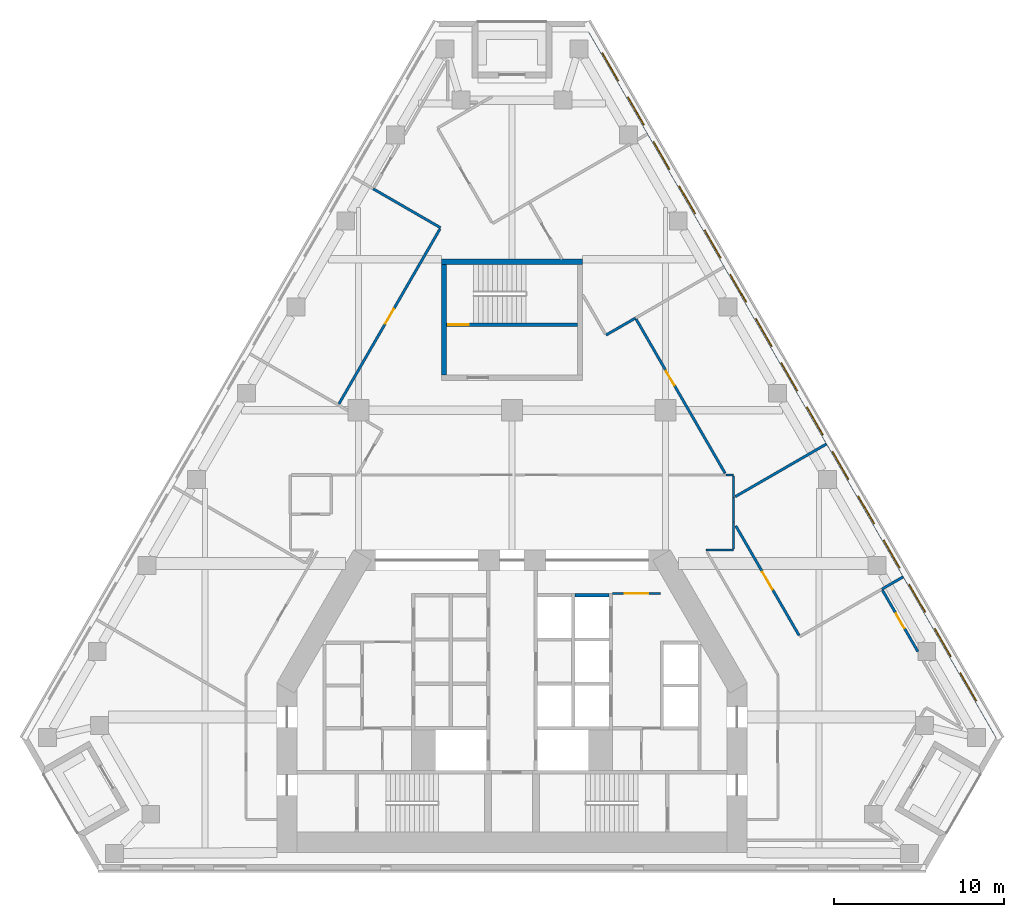
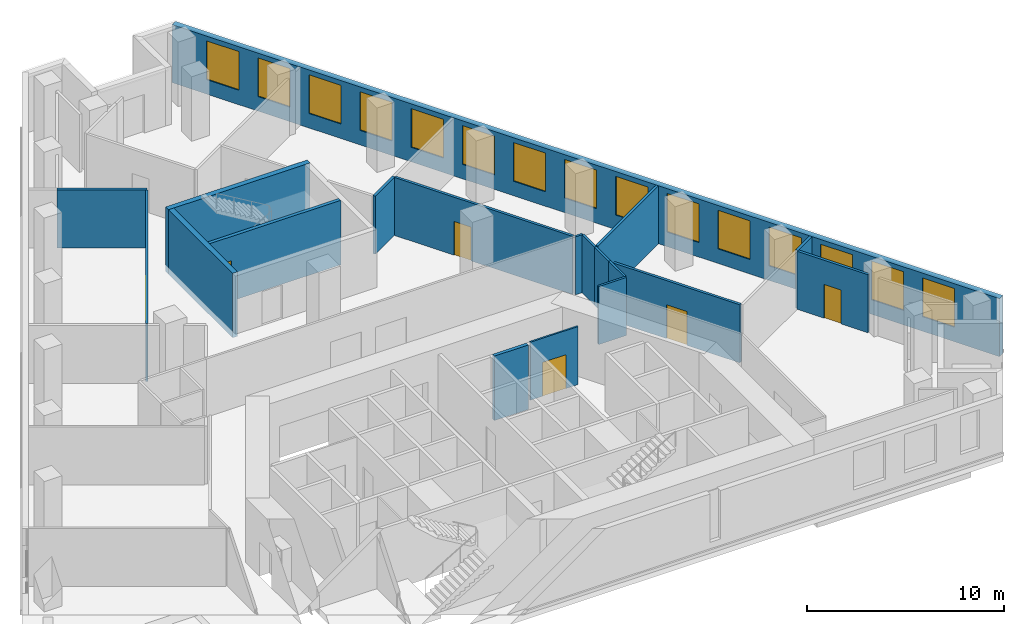
# One storey, part 6 of 8: 19 walls, 15 windows, 6 doors, 21 openings.
"""IFC4 building model written with IfcOpenShell, lengths in metres."""

from ifc_helpers import new_model, si_unit, direction, frame, frame_2d, origin, place, context, subcontext, project, spatial, rectangle, extrude, material, layer, layer_set, type_object, element, fill, save


model = new_model("IFC4")

# Units and contexts
model_context = context("Model", 3, precision=1e-05, world=origin(), true_north=direction((0.0, 1.0)))
body_context = subcontext(model_context, "Body", "Model", "MODEL_VIEW")
ifc_project = project(units=[si_unit("LENGTHUNIT", "METRE"), si_unit("AREAUNIT", "SQUARE_METRE"), si_unit("VOLUMEUNIT", "CUBIC_METRE"), si_unit("PLANEANGLEUNIT", "RADIAN"), si_unit("MASSUNIT", "GRAM", prefix="KILO")], contexts=[model_context])

# Site, building, storey
site_placement = place(None, origin())
site = spatial("IfcSite", under=ifc_project, at=site_placement, CompositionType="ELEMENT")
building_placement = place(site_placement, origin())
building = spatial("IfcBuilding", under=site, at=building_placement, Name="Fogline Exchange Tower", CompositionType="ELEMENT")
storey_placement = place(building_placement, frame((0.0, 0.0, 162.89990234375)))
storey = spatial("IfcBuildingStorey", under=building, at=storey_placement, Name="L36", CompositionType="ELEMENT", Elevation=162.89990234375)

# Wall, opening, door
ifc_material_1 = material(Name="Blockwork partition", Category="masonry")
ifc_layer_1 = layer(ifc_material_1, 0.10009765625)
ifc_layer_set_1 = layer_set([ifc_layer_1], Name="CW10")
wall_type_1 = type_object("IfcWallType", Name="CW10", PredefinedType="PARTITIONING", material=ifc_layer_set_1)
wall_1_placement = place(storey_placement, frame((5.89990234375, 16.25, 0.0), z_axis=(0.0, 0.0, 1.0), x_axis=(1.0, 0.0, 0.0)))
wall_1 = element("IfcWall", 1, at=wall_1_placement, inside=storey, type_object=wall_type_1, Name="Lift lobby partition", PredefinedType="PARTITIONING", context=body_context, shape_type="SweptSolid", body=[
    extrude(rectangle(XDim=2.800048828125, YDim=0.10009765625, at=frame_2d((1.39990234375, 0.0))), origin(), (0.0, 0.0, 1.0), 3.60009765625),
])
opening_1_placement = place(wall_1_placement, frame((0.699951171875, 0.0, 0.0)))
opening_1 = element("IfcOpeningElement", 2, at=opening_1_placement, cuts=wall_1, Name="Opening T11-C017", PredefinedType="OPENING", context=body_context, shape_type="SweptSolid", body=[
    extrude(rectangle(XDim=1.39990234375, YDim=2.10009765625, at=frame_2d((0.699951171875, 1.050048828125))), frame((0.0, 0.06005859375, 0.0), z_axis=(0.0, -1.0, 0.0), x_axis=(1.0, 0.0, 0.0)), (0.0, 0.0, 1.0), 0.1201171875),
])
ifc_material_2 = material(Name="Steel and timber fire door", Category="steel")
door_type_1 = type_object("IfcDoorType", Name="D-LB1", OperationType="DOUBLE_DOOR_SINGLE_SWING", PredefinedType="DOOR", material=ifc_material_2)
door_1_placement = place(opening_1_placement, origin())
door_1 = element("IfcDoor", 3, at=door_1_placement, inside=storey, type_object=door_type_1, Name="Door to lift lobby", OperationType="DOUBLE_DOOR_SINGLE_SWING", OverallHeight=2.10009765625, OverallWidth=1.39990234375, PredefinedType="DOOR", context=body_context, shape_type="SweptSolid", body=[
    extrude(rectangle(XDim=1.39990234375, YDim=2.10009765625, at=frame_2d((0.699951171875, 1.050048828125))), frame((0.0, 0.02490234375, 0.0), z_axis=(0.0, -1.0, 0.0), x_axis=(1.0, 0.0, 0.0)), (0.0, 0.0, 1.0), 0.050048828125),
])
fill(opening_1, door_1)

ifc_material_3 = material(Name="Concrete C40", Category="concrete")
ifc_layer_2 = layer(ifc_material_3, 0.199951171875)
ifc_layer_set_2 = layer_set([ifc_layer_2], Name="CW20R")
wall_type_2 = type_object("IfcWallType", Name="CW20R", PredefinedType="SOLIDWALL", material=ifc_layer_set_2)
wall_2_placement = place(storey_placement, frame((-3.85009765625, 32.007080078125, -0.39990234375), z_axis=(0.0, 0.0, 1.0), x_axis=(1.0, 0.0, 0.0)))
wall_2 = element("IfcWall", 4, at=wall_2_placement, inside=storey, type_object=wall_type_2, Name="Stair enclosure wall ST3", PredefinedType="SOLIDWALL", context=body_context, shape_type="SweptSolid", body=[
    extrude(rectangle(XDim=7.7001953125, YDim=0.199951171875, at=frame_2d((3.85009765625, 0.0))), origin(), (0.0, 0.0, 1.0), 4.0),
])
opening_2_placement = place(wall_2_placement, frame((0.10009765625, 0.0, 0.39990234375)))
opening_2 = element("IfcOpeningElement", 5, at=opening_2_placement, cuts=wall_2, Name="Opening T11-C027", PredefinedType="OPENING", context=body_context, shape_type="SweptSolid", body=[
    extrude(rectangle(XDim=1.199951171875, YDim=2.10009765625, at=frame_2d((0.60009765625, 1.050048828125))), frame((0.0, 0.10986328125, 0.0), z_axis=(0.0, -1.0, 0.0), x_axis=(1.0, 0.0, 0.0)), (0.0, 0.0, 1.0), 0.219970703125),
])
door_type_2 = type_object("IfcDoorType", Name="D-ST1", OperationType="SINGLE_SWING_LEFT", PredefinedType="DOOR", material=ifc_material_2)
door_2_placement = place(opening_2_placement, origin())
door_2 = element("IfcDoor", 6, at=door_2_placement, inside=storey, type_object=door_type_2, Name="Stair door ST3", OperationType="SINGLE_SWING_LEFT", OverallHeight=2.10009765625, OverallWidth=1.199951171875, PredefinedType="DOOR", context=body_context, shape_type="SweptSolid", body=[
    extrude(rectangle(XDim=1.199951171875, YDim=2.10009765625, at=frame_2d((0.60009765625, 1.050048828125))), frame((0.0, 0.02490234375, 0.0), z_axis=(0.0, -1.0, 0.0), x_axis=(1.0, 0.0, 0.0)), (0.0, 0.0, 1.0), 0.050048828125),
])
fill(opening_2, door_2)

# Walls
ifc_layer_3 = layer(ifc_material_3, 0.199951171875)
ifc_layer_set_3 = layer_set([ifc_layer_3], Name="CW20S")
wall_type_3 = type_object("IfcWallType", Name="CW20S", PredefinedType="SOLIDWALL", material=ifc_layer_set_3)
wall_3_placement = place(storey_placement, frame((3.699951171875, 16.14990234375, -0.39990234375), z_axis=(0.0, 0.0, 1.0), x_axis=(1.0, 0.0, 0.0)))
element("IfcWall", 7, at=wall_3_placement, inside=storey, type_object=wall_type_3, Name="Lift shaft wall", PredefinedType="SOLIDWALL", context=body_context, shape_type="SweptSolid", body=[
    extrude(rectangle(XDim=2.0, YDim=0.199951171875, at=frame_2d((1.0, 0.0))), origin(), (0.0, 0.0, 1.0), 4.0),
])
ifc_layer_4 = layer(ifc_material_3, 0.300048828125)
ifc_layer_set_4 = layer_set([ifc_layer_4], Name="CW30")
wall_type_4 = type_object("IfcWallType", Name="CW30", PredefinedType="SOLIDWALL", material=ifc_layer_set_4)
wall_4_placement = place(storey_placement, frame((-4.14990234375, 35.70703125, -0.39990234375), z_axis=(0.0, 0.0, 1.0), x_axis=(1.0, 0.0, 0.0)))
element("IfcWall", 8, at=wall_4_placement, inside=storey, type_object=wall_type_4, Name="Stair enclosure wall ST3", PredefinedType="SOLIDWALL", context=body_context, shape_type="SweptSolid", body=[
    extrude(rectangle(XDim=8.2998046875, YDim=0.300048828125, at=frame_2d((4.14990234375, 0.0))), origin(), (0.0, 0.0, 1.0), 4.0),
])
wall_5_placement = place(storey_placement, frame((-4.0, 29.056884765625, -0.39990234375), z_axis=(0.0, 0.0, 1.0), x_axis=(0.0, 1.0, 0.0)))
element("IfcWall", 9, at=wall_5_placement, inside=storey, type_object=wall_type_4, Name="Stair enclosure wall ST3", PredefinedType="SOLIDWALL", context=body_context, shape_type="SweptSolid", body=[
    extrude(rectangle(XDim=6.5, YDim=0.300048828125, at=frame_2d((3.25, 0.0))), origin(), (0.0, 0.0, 1.0), 4.0),
])

# Wall, openings, windows
ifc_material_4 = material(Name="Brick masonry", Category="masonry")
ifc_layer_5 = layer(ifc_material_4, 0.340087890625)
ifc_layer_set_5 = layer_set([ifc_layer_5], Name="FW1")
wall_type_5 = type_object("IfcWallType", Name="FW1", PredefinedType="SOLIDWALL", material=ifc_layer_set_5)
wall_6_placement = place(storey_placement, frame((28.62890625, 7.709228515625, 0.0), z_axis=(0.0, 0.0, 1.0), x_axis=(-0.500001027829, 0.866024810367, 0.0)))
wall_6 = element("IfcWall", 10, at=wall_6_placement, inside=storey, type_object=wall_type_5, Name="Brick wall L36 E", PredefinedType="SOLIDWALL", context=body_context, shape_type="SweptSolid", body=[
    extrude(rectangle(XDim=48.55224609375, YDim=0.340087890625, at=frame_2d((24.276123046875, 0.0))), origin(), (0.0, 0.0, 1.0), 3.60009765625),
])
opening_3_placement = place(wall_6_placement, frame((2.637939453125, 0.0, 0.89990234375)))
opening_3 = element("IfcOpeningElement", 11, at=opening_3_placement, cuts=wall_6, Name="Opening W1", PredefinedType="OPENING", context=body_context, shape_type="SweptSolid", body=[
    extrude(rectangle(XDim=1.885009765625, YDim=2.39990234375, at=frame_2d((0.9423828125, 1.199951171875))), frame((0.0, 0.18017578125, 0.0), z_axis=(0.0, -1.0, 0.0), x_axis=(1.0, 0.0, 0.0)), (0.0, 0.0, 1.0), 0.360107421875),
])
opening_4_placement = place(wall_6_placement, frame((5.637939453125, 0.0, 0.89990234375)))
opening_4 = element("IfcOpeningElement", 12, at=opening_4_placement, cuts=wall_6, Name="Opening W1", PredefinedType="OPENING", context=body_context, shape_type="SweptSolid", body=[
    extrude(rectangle(XDim=1.885009765625, YDim=2.39990234375, at=frame_2d((0.9423828125, 1.199951171875))), frame((0.0, 0.18017578125, 0.0), z_axis=(0.0, -1.0, 0.0), x_axis=(1.0, 0.0, 0.0)), (0.0, 0.0, 1.0), 0.360107421875),
])
opening_5_placement = place(wall_6_placement, frame((8.637939453125, 0.0, 0.89990234375)))
opening_5 = element("IfcOpeningElement", 13, at=opening_5_placement, cuts=wall_6, Name="Opening W1", PredefinedType="OPENING", context=body_context, shape_type="SweptSolid", body=[
    extrude(rectangle(XDim=1.885009765625, YDim=2.39990234375, at=frame_2d((0.9423828125, 1.199951171875))), frame((0.0, 0.18017578125, 0.0), z_axis=(0.0, -1.0, 0.0), x_axis=(1.0, 0.0, 0.0)), (0.0, 0.0, 1.0), 0.360107421875),
])
opening_6_placement = place(wall_6_placement, frame((11.637939453125, 0.0, 0.89990234375)))
opening_6 = element("IfcOpeningElement", 14, at=opening_6_placement, cuts=wall_6, Name="Opening W1", PredefinedType="OPENING", context=body_context, shape_type="SweptSolid", body=[
    extrude(rectangle(XDim=1.885009765625, YDim=2.39990234375, at=frame_2d((0.9423828125, 1.199951171875))), frame((0.0, 0.18017578125, 0.0), z_axis=(0.0, -1.0, 0.0), x_axis=(1.0, 0.0, 0.0)), (0.0, 0.0, 1.0), 0.360107421875),
])
opening_7_placement = place(wall_6_placement, frame((14.637939453125, 0.0, 0.89990234375)))
opening_7 = element("IfcOpeningElement", 15, at=opening_7_placement, cuts=wall_6, Name="Opening W1", PredefinedType="OPENING", context=body_context, shape_type="SweptSolid", body=[
    extrude(rectangle(XDim=1.885009765625, YDim=2.39990234375, at=frame_2d((0.9423828125, 1.199951171875))), frame((0.0, 0.18017578125, 0.0), z_axis=(0.0, -1.0, 0.0), x_axis=(1.0, 0.0, 0.0)), (0.0, 0.0, 1.0), 0.360107421875),
])
opening_8_placement = place(wall_6_placement, frame((17.637939453125, 0.0, 0.89990234375)))
opening_8 = element("IfcOpeningElement", 16, at=opening_8_placement, cuts=wall_6, Name="Opening W1", PredefinedType="OPENING", context=body_context, shape_type="SweptSolid", body=[
    extrude(rectangle(XDim=1.885009765625, YDim=2.39990234375, at=frame_2d((0.9423828125, 1.199951171875))), frame((0.0, 0.18017578125, 0.0), z_axis=(0.0, -1.0, 0.0), x_axis=(1.0, 0.0, 0.0)), (0.0, 0.0, 1.0), 0.360107421875),
])
opening_9_placement = place(wall_6_placement, frame((20.637939453125, 0.0, 0.89990234375)))
opening_9 = element("IfcOpeningElement", 17, at=opening_9_placement, cuts=wall_6, Name="Opening W1", PredefinedType="OPENING", context=body_context, shape_type="SweptSolid", body=[
    extrude(rectangle(XDim=1.885009765625, YDim=2.39990234375, at=frame_2d((0.9423828125, 1.199951171875))), frame((0.0, 0.18017578125, 0.0), z_axis=(0.0, -1.0, 0.0), x_axis=(1.0, 0.0, 0.0)), (0.0, 0.0, 1.0), 0.360107421875),
])
opening_10_placement = place(wall_6_placement, frame((23.637939453125, 0.0, 0.89990234375)))
opening_10 = element("IfcOpeningElement", 18, at=opening_10_placement, cuts=wall_6, Name="Opening W1", PredefinedType="OPENING", context=body_context, shape_type="SweptSolid", body=[
    extrude(rectangle(XDim=1.885009765625, YDim=2.39990234375, at=frame_2d((0.9423828125, 1.199951171875))), frame((0.0, 0.18017578125, 0.0), z_axis=(0.0, -1.0, 0.0), x_axis=(1.0, 0.0, 0.0)), (0.0, 0.0, 1.0), 0.360107421875),
])
opening_11_placement = place(wall_6_placement, frame((26.637939453125, 0.0, 0.89990234375)))
opening_11 = element("IfcOpeningElement", 19, at=opening_11_placement, cuts=wall_6, Name="Opening W1", PredefinedType="OPENING", context=body_context, shape_type="SweptSolid", body=[
    extrude(rectangle(XDim=1.885009765625, YDim=2.39990234375, at=frame_2d((0.9423828125, 1.199951171875))), frame((0.0, 0.18017578125, 0.0), z_axis=(0.0, -1.0, 0.0), x_axis=(1.0, 0.0, 0.0)), (0.0, 0.0, 1.0), 0.360107421875),
])
opening_12_placement = place(wall_6_placement, frame((29.637939453125, 0.0, 0.89990234375)))
opening_12 = element("IfcOpeningElement", 20, at=opening_12_placement, cuts=wall_6, Name="Opening W1", PredefinedType="OPENING", context=body_context, shape_type="SweptSolid", body=[
    extrude(rectangle(XDim=1.885009765625, YDim=2.39990234375, at=frame_2d((0.9423828125, 1.199951171875))), frame((0.0, 0.18017578125, 0.0), z_axis=(0.0, -1.0, 0.0), x_axis=(1.0, 0.0, 0.0)), (0.0, 0.0, 1.0), 0.360107421875),
])
opening_13_placement = place(wall_6_placement, frame((32.637939453125, 0.0, 0.89990234375)))
opening_13 = element("IfcOpeningElement", 21, at=opening_13_placement, cuts=wall_6, Name="Opening W1", PredefinedType="OPENING", context=body_context, shape_type="SweptSolid", body=[
    extrude(rectangle(XDim=1.885009765625, YDim=2.39990234375, at=frame_2d((0.9423828125, 1.199951171875))), frame((0.0, 0.18017578125, 0.0), z_axis=(0.0, -1.0, 0.0), x_axis=(1.0, 0.0, 0.0)), (0.0, 0.0, 1.0), 0.360107421875),
])
opening_14_placement = place(wall_6_placement, frame((35.637939453125, 0.0, 0.89990234375)))
opening_14 = element("IfcOpeningElement", 22, at=opening_14_placement, cuts=wall_6, Name="Opening W1", PredefinedType="OPENING", context=body_context, shape_type="SweptSolid", body=[
    extrude(rectangle(XDim=1.885009765625, YDim=2.39990234375, at=frame_2d((0.9423828125, 1.199951171875))), frame((0.0, 0.18017578125, 0.0), z_axis=(0.0, -1.0, 0.0), x_axis=(1.0, 0.0, 0.0)), (0.0, 0.0, 1.0), 0.360107421875),
])
opening_15_placement = place(wall_6_placement, frame((38.637939453125, 0.0, 0.89990234375)))
opening_15 = element("IfcOpeningElement", 23, at=opening_15_placement, cuts=wall_6, Name="Opening W1", PredefinedType="OPENING", context=body_context, shape_type="SweptSolid", body=[
    extrude(rectangle(XDim=1.885009765625, YDim=2.39990234375, at=frame_2d((0.9423828125, 1.199951171875))), frame((0.0, 0.18017578125, 0.0), z_axis=(0.0, -1.0, 0.0), x_axis=(1.0, 0.0, 0.0)), (0.0, 0.0, 1.0), 0.360107421875),
])
opening_16_placement = place(wall_6_placement, frame((41.637939453125, 0.0, 0.89990234375)))
opening_16 = element("IfcOpeningElement", 24, at=opening_16_placement, cuts=wall_6, Name="Opening W1", PredefinedType="OPENING", context=body_context, shape_type="SweptSolid", body=[
    extrude(rectangle(XDim=1.885009765625, YDim=2.39990234375, at=frame_2d((0.9423828125, 1.199951171875))), frame((0.0, 0.18017578125, 0.0), z_axis=(0.0, -1.0, 0.0), x_axis=(1.0, 0.0, 0.0)), (0.0, 0.0, 1.0), 0.360107421875),
])
opening_17_placement = place(wall_6_placement, frame((44.637939453125, 0.0, 0.89990234375)))
opening_17 = element("IfcOpeningElement", 25, at=opening_17_placement, cuts=wall_6, Name="Opening W1", PredefinedType="OPENING", context=body_context, shape_type="SweptSolid", body=[
    extrude(rectangle(XDim=1.885009765625, YDim=2.39990234375, at=frame_2d((0.9423828125, 1.199951171875))), frame((0.0, 0.18017578125, 0.0), z_axis=(0.0, -1.0, 0.0), x_axis=(1.0, 0.0, 0.0)), (0.0, 0.0, 1.0), 0.360107421875),
])
ifc_material_5 = material(Name="Aluminium and glass", Category="aluminium")
window_type = type_object("IfcWindowType", Name="W1", PartitioningType="SINGLE_PANEL", PredefinedType="WINDOW", material=ifc_material_5)
window_1_placement = place(opening_3_placement, origin())
window_1 = element("IfcWindow", 26, at=window_1_placement, inside=storey, type_object=window_type, Name="W1 W1", OverallHeight=2.39990234375, OverallWidth=1.885009765625, PartitioningType="SINGLE_PANEL", PredefinedType="WINDOW", context=body_context, shape_type="SweptSolid", body=[
    extrude(rectangle(XDim=1.885009765625, YDim=2.39990234375, at=frame_2d((0.9423828125, 1.199951171875))), frame((0.0, 0.110107421875, 0.0), z_axis=(0.0, -1.0, 0.0), x_axis=(1.0, 0.0, 0.0)), (0.0, 0.0, 1.0), 0.06005859375),
])
fill(opening_3, window_1)
window_2_placement = place(opening_4_placement, origin())
window_2 = element("IfcWindow", 27, at=window_2_placement, inside=storey, type_object=window_type, Name="W1 W1", OverallHeight=2.39990234375, OverallWidth=1.885009765625, PartitioningType="SINGLE_PANEL", PredefinedType="WINDOW", context=body_context, shape_type="SweptSolid", body=[
    extrude(rectangle(XDim=1.885009765625, YDim=2.39990234375, at=frame_2d((0.9423828125, 1.199951171875))), frame((0.0, 0.110107421875, 0.0), z_axis=(0.0, -1.0, 0.0), x_axis=(1.0, 0.0, 0.0)), (0.0, 0.0, 1.0), 0.06005859375),
])
fill(opening_4, window_2)
window_3_placement = place(opening_5_placement, origin())
window_3 = element("IfcWindow", 28, at=window_3_placement, inside=storey, type_object=window_type, Name="W1 W1", OverallHeight=2.39990234375, OverallWidth=1.885009765625, PartitioningType="SINGLE_PANEL", PredefinedType="WINDOW", context=body_context, shape_type="SweptSolid", body=[
    extrude(rectangle(XDim=1.885009765625, YDim=2.39990234375, at=frame_2d((0.9423828125, 1.199951171875))), frame((0.0, 0.110107421875, 0.0), z_axis=(0.0, -1.0, 0.0), x_axis=(1.0, 0.0, 0.0)), (0.0, 0.0, 1.0), 0.06005859375),
])
fill(opening_5, window_3)
window_4_placement = place(opening_6_placement, origin())
window_4 = element("IfcWindow", 29, at=window_4_placement, inside=storey, type_object=window_type, Name="W1 W1", OverallHeight=2.39990234375, OverallWidth=1.885009765625, PartitioningType="SINGLE_PANEL", PredefinedType="WINDOW", context=body_context, shape_type="SweptSolid", body=[
    extrude(rectangle(XDim=1.885009765625, YDim=2.39990234375, at=frame_2d((0.9423828125, 1.199951171875))), frame((0.0, 0.110107421875, 0.0), z_axis=(0.0, -1.0, 0.0), x_axis=(1.0, 0.0, 0.0)), (0.0, 0.0, 1.0), 0.06005859375),
])
fill(opening_6, window_4)
window_5_placement = place(opening_7_placement, origin())
window_5 = element("IfcWindow", 30, at=window_5_placement, inside=storey, type_object=window_type, Name="W1 W1", OverallHeight=2.39990234375, OverallWidth=1.885009765625, PartitioningType="SINGLE_PANEL", PredefinedType="WINDOW", context=body_context, shape_type="SweptSolid", body=[
    extrude(rectangle(XDim=1.885009765625, YDim=2.39990234375, at=frame_2d((0.9423828125, 1.199951171875))), frame((0.0, 0.110107421875, 0.0), z_axis=(0.0, -1.0, 0.0), x_axis=(1.0, 0.0, 0.0)), (0.0, 0.0, 1.0), 0.06005859375),
])
fill(opening_7, window_5)
window_6_placement = place(opening_8_placement, origin())
window_6 = element("IfcWindow", 31, at=window_6_placement, inside=storey, type_object=window_type, Name="W1 W1", OverallHeight=2.39990234375, OverallWidth=1.885009765625, PartitioningType="SINGLE_PANEL", PredefinedType="WINDOW", context=body_context, shape_type="SweptSolid", body=[
    extrude(rectangle(XDim=1.885009765625, YDim=2.39990234375, at=frame_2d((0.9423828125, 1.199951171875))), frame((0.0, 0.110107421875, 0.0), z_axis=(0.0, -1.0, 0.0), x_axis=(1.0, 0.0, 0.0)), (0.0, 0.0, 1.0), 0.06005859375),
])
fill(opening_8, window_6)
window_7_placement = place(opening_9_placement, origin())
window_7 = element("IfcWindow", 32, at=window_7_placement, inside=storey, type_object=window_type, Name="W1 W1", OverallHeight=2.39990234375, OverallWidth=1.885009765625, PartitioningType="SINGLE_PANEL", PredefinedType="WINDOW", context=body_context, shape_type="SweptSolid", body=[
    extrude(rectangle(XDim=1.885009765625, YDim=2.39990234375, at=frame_2d((0.9423828125, 1.199951171875))), frame((0.0, 0.110107421875, 0.0), z_axis=(0.0, -1.0, 0.0), x_axis=(1.0, 0.0, 0.0)), (0.0, 0.0, 1.0), 0.06005859375),
])
fill(opening_9, window_7)
window_8_placement = place(opening_10_placement, origin())
window_8 = element("IfcWindow", 33, at=window_8_placement, inside=storey, type_object=window_type, Name="W1 W1", OverallHeight=2.39990234375, OverallWidth=1.885009765625, PartitioningType="SINGLE_PANEL", PredefinedType="WINDOW", context=body_context, shape_type="SweptSolid", body=[
    extrude(rectangle(XDim=1.885009765625, YDim=2.39990234375, at=frame_2d((0.9423828125, 1.199951171875))), frame((0.0, 0.110107421875, 0.0), z_axis=(0.0, -1.0, 0.0), x_axis=(1.0, 0.0, 0.0)), (0.0, 0.0, 1.0), 0.06005859375),
])
fill(opening_10, window_8)
window_9_placement = place(opening_11_placement, origin())
window_9 = element("IfcWindow", 34, at=window_9_placement, inside=storey, type_object=window_type, Name="W1 W1", OverallHeight=2.39990234375, OverallWidth=1.885009765625, PartitioningType="SINGLE_PANEL", PredefinedType="WINDOW", context=body_context, shape_type="SweptSolid", body=[
    extrude(rectangle(XDim=1.885009765625, YDim=2.39990234375, at=frame_2d((0.9423828125, 1.199951171875))), frame((0.0, 0.110107421875, 0.0), z_axis=(0.0, -1.0, 0.0), x_axis=(1.0, 0.0, 0.0)), (0.0, 0.0, 1.0), 0.06005859375),
])
fill(opening_11, window_9)
window_10_placement = place(opening_12_placement, origin())
window_10 = element("IfcWindow", 35, at=window_10_placement, inside=storey, type_object=window_type, Name="W1 W1", OverallHeight=2.39990234375, OverallWidth=1.885009765625, PartitioningType="SINGLE_PANEL", PredefinedType="WINDOW", context=body_context, shape_type="SweptSolid", body=[
    extrude(rectangle(XDim=1.885009765625, YDim=2.39990234375, at=frame_2d((0.9423828125, 1.199951171875))), frame((0.0, 0.110107421875, 0.0), z_axis=(0.0, -1.0, 0.0), x_axis=(1.0, 0.0, 0.0)), (0.0, 0.0, 1.0), 0.06005859375),
])
fill(opening_12, window_10)
window_11_placement = place(opening_13_placement, origin())
window_11 = element("IfcWindow", 36, at=window_11_placement, inside=storey, type_object=window_type, Name="W1 W1", OverallHeight=2.39990234375, OverallWidth=1.885009765625, PartitioningType="SINGLE_PANEL", PredefinedType="WINDOW", context=body_context, shape_type="SweptSolid", body=[
    extrude(rectangle(XDim=1.885009765625, YDim=2.39990234375, at=frame_2d((0.9423828125, 1.199951171875))), frame((0.0, 0.110107421875, 0.0), z_axis=(0.0, -1.0, 0.0), x_axis=(1.0, 0.0, 0.0)), (0.0, 0.0, 1.0), 0.06005859375),
])
fill(opening_13, window_11)
window_12_placement = place(opening_14_placement, origin())
window_12 = element("IfcWindow", 37, at=window_12_placement, inside=storey, type_object=window_type, Name="W1 W1", OverallHeight=2.39990234375, OverallWidth=1.885009765625, PartitioningType="SINGLE_PANEL", PredefinedType="WINDOW", context=body_context, shape_type="SweptSolid", body=[
    extrude(rectangle(XDim=1.885009765625, YDim=2.39990234375, at=frame_2d((0.9423828125, 1.199951171875))), frame((0.0, 0.110107421875, 0.0), z_axis=(0.0, -1.0, 0.0), x_axis=(1.0, 0.0, 0.0)), (0.0, 0.0, 1.0), 0.06005859375),
])
fill(opening_14, window_12)
window_13_placement = place(opening_15_placement, origin())
window_13 = element("IfcWindow", 38, at=window_13_placement, inside=storey, type_object=window_type, Name="W1 W1", OverallHeight=2.39990234375, OverallWidth=1.885009765625, PartitioningType="SINGLE_PANEL", PredefinedType="WINDOW", context=body_context, shape_type="SweptSolid", body=[
    extrude(rectangle(XDim=1.885009765625, YDim=2.39990234375, at=frame_2d((0.9423828125, 1.199951171875))), frame((0.0, 0.110107421875, 0.0), z_axis=(0.0, -1.0, 0.0), x_axis=(1.0, 0.0, 0.0)), (0.0, 0.0, 1.0), 0.06005859375),
])
fill(opening_15, window_13)
window_14_placement = place(opening_16_placement, origin())
window_14 = element("IfcWindow", 39, at=window_14_placement, inside=storey, type_object=window_type, Name="W1 W1", OverallHeight=2.39990234375, OverallWidth=1.885009765625, PartitioningType="SINGLE_PANEL", PredefinedType="WINDOW", context=body_context, shape_type="SweptSolid", body=[
    extrude(rectangle(XDim=1.885009765625, YDim=2.39990234375, at=frame_2d((0.9423828125, 1.199951171875))), frame((0.0, 0.110107421875, 0.0), z_axis=(0.0, -1.0, 0.0), x_axis=(1.0, 0.0, 0.0)), (0.0, 0.0, 1.0), 0.06005859375),
])
fill(opening_16, window_14)
window_15_placement = place(opening_17_placement, origin())
window_15 = element("IfcWindow", 40, at=window_15_placement, inside=storey, type_object=window_type, Name="W1 W1", OverallHeight=2.39990234375, OverallWidth=1.885009765625, PartitioningType="SINGLE_PANEL", PredefinedType="WINDOW", context=body_context, shape_type="SweptSolid", body=[
    extrude(rectangle(XDim=1.885009765625, YDim=2.39990234375, at=frame_2d((0.9423828125, 1.199951171875))), frame((0.0, 0.110107421875, 0.0), z_axis=(0.0, -1.0, 0.0), x_axis=(1.0, 0.0, 0.0)), (0.0, 0.0, 1.0), 0.06005859375),
])
fill(opening_17, window_15)

# Walls
ifc_material_6 = material(Name="Plasterboard corridor partition with mineral wool, 2 layers each side")
ifc_layer_6 = layer(ifc_material_6, 0.125)
ifc_layer_set_6 = layer_set([ifc_layer_6], Name="PW2")
wall_type_6 = type_object("IfcWallType", Name="PW2", PredefinedType="PARTITIONING", material=ifc_layer_set_6)
wall_7_placement = place(storey_placement, frame((13.0, 21.872802734375, 0.0), z_axis=(0.0, 0.0, 1.0), x_axis=(0.0, -1.0, 0.0)))
element("IfcWall", 41, at=wall_7_placement, inside=storey, type_object=wall_type_6, Name="wall-L36-W004", PredefinedType="PARTITIONING", context=body_context, shape_type="SweptSolid", body=[
    extrude(rectangle(XDim=1.43359375, YDim=0.125, at=frame_2d((0.716796875, 0.0))), origin(), (0.0, 0.0, 1.0), 3.60009765625),
])
wall_8_placement = place(storey_placement, frame((12.560791015625, 23.199951171875, 0.0), z_axis=(0.0, 0.0, 1.0), x_axis=(1.0, 0.0, 0.0)))
element("IfcWall", 42, at=wall_8_placement, inside=storey, type_object=wall_type_6, Name="wall-L36-W005", PredefinedType="PARTITIONING", context=body_context, shape_type="SweptSolid", body=[
    extrude(rectangle(XDim=0.439208984375, YDim=0.125, at=frame_2d((0.2197265625, 0.0))), origin(), (0.0, 0.0, 1.0), 3.60009765625),
])
wall_9_placement = place(storey_placement, frame((13.0, 23.137451171875, 0.0), z_axis=(0.0, 0.0, 1.0), x_axis=(0.0, -1.0, 0.0)))
element("IfcWall", 43, at=wall_9_placement, inside=storey, type_object=wall_type_6, Name="wall-L36-W006", PredefinedType="PARTITIONING", context=body_context, shape_type="SweptSolid", body=[
    extrude(rectangle(XDim=1.2646484375, YDim=0.125, at=frame_2d((0.63232421875, 0.0))), origin(), (0.0, 0.0, 1.0), 3.60009765625),
])
wall_10_placement = place(storey_placement, frame((13.0, 20.439208984375, 0.0), z_axis=(0.0, 0.0, 1.0), x_axis=(0.0, -1.0, 0.0)))
element("IfcWall", 44, at=wall_10_placement, inside=storey, type_object=wall_type_6, Name="wall-L36-W013", PredefinedType="PARTITIONING", context=body_context, shape_type="SweptSolid", body=[
    extrude(rectangle(XDim=1.57666015625, YDim=0.125, at=frame_2d((0.788330078125, 0.0))), origin(), (0.0, 0.0, 1.0), 3.60009765625),
])
wall_11_placement = place(storey_placement, frame((13.0, 18.800048828125, 0.0), z_axis=(0.0, 0.0, 1.0), x_axis=(-1.0, 0.0, 0.0)))
element("IfcWall", 45, at=wall_11_placement, inside=storey, type_object=wall_type_6, Name="wall-L36-W014", PredefinedType="PARTITIONING", context=body_context, shape_type="SweptSolid", body=[
    extrude(rectangle(XDim=1.62548828125, YDim=0.125, at=frame_2d((0.812744140625, 0.0))), origin(), (0.0, 0.0, 1.0), 3.60009765625),
])
ifc_material_7 = material(Name="Plasterboard demising partition with mineral wool and acoustic board")
ifc_layer_7 = layer(ifc_material_7, 0.14990234375)
ifc_layer_set_7 = layer_set([ifc_layer_7], Name="PW3")
wall_type_7 = type_object("IfcWallType", Name="PW3", PredefinedType="PARTITIONING", material=ifc_layer_set_7)
wall_12_placement = place(storey_placement, frame((13.100341796875, 21.930908203125, 0.0), z_axis=(0.0, 0.0, 1.0), x_axis=(0.866037262717, 0.499979459163, 0.0)))
element("IfcWall", 46, at=wall_12_placement, inside=storey, type_object=wall_type_7, Name="wall-L36-W019", PredefinedType="PARTITIONING", context=body_context, shape_type="SweptSolid", body=[
    extrude(rectangle(XDim=6.167236328125, YDim=0.14990234375, at=frame_2d((3.08349609375, 0.0))), origin(), (0.0, 0.0, 1.0), 3.60009765625),
])
wall_13_placement = place(storey_placement, frame((22.94140625, 17.22021484375, 0.0), z_axis=(0.0, 0.0, 1.0), x_axis=(-0.866038426532, -0.499977443261, 0.0)))
element("IfcWall", 47, at=wall_13_placement, inside=storey, type_object=wall_type_7, Name="wall-L36-W020", PredefinedType="PARTITIONING", context=body_context, shape_type="SweptSolid", body=[
    extrude(rectangle(XDim=1.4365234375, YDim=0.14990234375, at=frame_2d((0.71826171875, 0.0))), origin(), (0.0, 0.0, 1.0), 3.60009765625),
])

# Wall, opening, door
wall_14_placement = place(storey_placement, frame((16.841796875, 13.785400390625, 0.0), z_axis=(0.0, 0.0, 1.0), x_axis=(-0.500024037331, 0.86601152538, 0.0)))
wall_14 = element("IfcWall", 48, at=wall_14_placement, inside=storey, type_object=wall_type_7, Name="wall-L36-W022", PredefinedType="PARTITIONING", context=body_context, shape_type="SweptSolid", body=[
    extrude(rectangle(XDim=7.427978515625, YDim=0.14990234375, at=frame_2d((3.7138671875, 0.0))), origin(), (0.0, 0.0, 1.0), 3.60009765625),
])
opening_18_placement = place(wall_14_placement, frame((3.114013671875, 0.0, 0.0)))
opening_18 = element("IfcOpeningElement", 49, at=opening_18_placement, cuts=wall_14, Name="Opening T11-D007", PredefinedType="OPENING", context=body_context, shape_type="SweptSolid", body=[
    extrude(rectangle(XDim=1.199951171875, YDim=2.10009765625, at=frame_2d((0.60009765625, 1.050048828125))), frame((0.0, 0.0849609375, 0.0), z_axis=(0.0, -1.0, 0.0), x_axis=(1.0, 0.0, 0.0)), (0.0, 0.0, 1.0), 0.169921875),
])
ifc_material_8 = material(Name="Fire-rated glazed door leaf with steel frame", Category="steel")
door_type_3 = type_object("IfcDoorType", Name="D5", OperationType="SINGLE_SWING_LEFT", PredefinedType="DOOR", material=ifc_material_8)
door_3_placement = place(opening_18_placement, frame((1.199951171875, 0.0, 0.0), z_axis=(0.0, 0.0, 1.0), x_axis=(-1.0, 0.0, 0.0)))
door_3 = element("IfcDoor", 50, at=door_3_placement, inside=storey, type_object=door_type_3, Name="door-L36-D007", OperationType="SINGLE_SWING_RIGHT", OverallHeight=2.10009765625, OverallWidth=1.199951171875, PredefinedType="DOOR", context=body_context, shape_type="SweptSolid", body=[
    extrude(rectangle(XDim=1.199951171875, YDim=2.10009765625, at=frame_2d((0.60009765625, 1.050048828125))), frame((0.0, 0.02490234375, 0.0), z_axis=(0.0, -1.0, 0.0), x_axis=(1.0, 0.0, 0.0)), (0.0, 0.0, 1.0), 0.050048828125),
])
fill(opening_18, door_3)

wall_15_placement = place(storey_placement, frame((12.502685546875, 23.30029296875, 0.0), z_axis=(0.0, 0.0, 1.0), x_axis=(-0.499989654501, 0.866031376679, 0.0)))
wall_15 = element("IfcWall", 51, at=wall_15_placement, inside=storey, type_object=wall_type_7, Name="wall-L36-W024", PredefinedType="PARTITIONING", context=body_context, shape_type="SweptSolid", body=[
    extrude(rectangle(XDim=10.440185546875, YDim=0.14990234375, at=frame_2d((5.22021484375, 0.0))), origin(), (0.0, 0.0, 1.0), 3.60009765625),
])
opening_19_placement = place(wall_15_placement, frame((5.939208984375, 0.0, 0.0)))
opening_19 = element("IfcOpeningElement", 52, at=opening_19_placement, cuts=wall_15, Name="Opening T11-D008", PredefinedType="OPENING", context=body_context, shape_type="SweptSolid", body=[
    extrude(rectangle(XDim=1.0, YDim=2.10009765625, at=frame_2d((0.5, 1.050048828125))), frame((0.0, 0.0849609375, 0.0), z_axis=(0.0, -1.0, 0.0), x_axis=(1.0, 0.0, 0.0)), (0.0, 0.0, 1.0), 0.169921875),
])
ifc_material_9 = material(Name="Fire-rated timber door leaf with steel frame", Category="steel")
door_type_4 = type_object("IfcDoorType", Name="D3", OperationType="SINGLE_SWING_LEFT", PredefinedType="DOOR", material=ifc_material_9)
door_4_placement = place(opening_19_placement, frame((1.0, 0.0, 0.0), z_axis=(0.0, 0.0, 1.0), x_axis=(-1.0, 0.0, 0.0)))
door_4 = element("IfcDoor", 53, at=door_4_placement, inside=storey, type_object=door_type_4, Name="door-L36-D008", OperationType="SINGLE_SWING_LEFT", OverallHeight=2.10009765625, OverallWidth=1.0, PredefinedType="DOOR", context=body_context, shape_type="SweptSolid", body=[
    extrude(rectangle(XDim=1.0, YDim=2.10009765625, at=frame_2d((0.5, 1.050048828125))), frame((0.0, 0.02490234375, 0.0), z_axis=(0.0, -1.0, 0.0), x_axis=(1.0, 0.0, 0.0)), (0.0, 0.0, 1.0), 0.050048828125),
])
fill(opening_19, door_4)

# Wall
wall_16_placement = place(storey_placement, frame((7.2451171875, 32.40673828125, 0.0), z_axis=(0.0, 0.0, 1.0), x_axis=(-0.866010750942, -0.50002537861, 0.0)))
element("IfcWall", 54, at=wall_16_placement, inside=storey, type_object=wall_type_7, Name="wall-L36-W027", PredefinedType="PARTITIONING", context=body_context, shape_type="SweptSolid", body=[
    extrude(rectangle(XDim=2.0, YDim=0.14990234375, at=frame_2d((1.0, 0.0))), origin(), (0.0, 0.0, 1.0), 3.60009765625),
])

# Wall, opening, door
wall_17_placement = place(storey_placement, frame((-10.150146484375, 27.375244140625, 0.0), z_axis=(0.0, 0.0, 1.0), x_axis=(0.500010179592, 0.866019526514, 0.0)))
wall_17 = element("IfcWall", 55, at=wall_17_placement, inside=storey, type_object=wall_type_7, Name="wall-L36-W038", PredefinedType="PARTITIONING", context=body_context, shape_type="SweptSolid", body=[
    extrude(rectangle(XDim=11.849853515625, YDim=0.14990234375, at=frame_2d((5.9248046875, 0.0))), origin(), (0.0, 0.0, 1.0), 3.60009765625),
])
opening_20_placement = place(wall_17_placement, frame((5.425048828125, 0.0, 0.0)))
opening_20 = element("IfcOpeningElement", 56, at=opening_20_placement, cuts=wall_17, Name="Opening T11-D012", PredefinedType="OPENING", context=body_context, shape_type="SweptSolid", body=[
    extrude(rectangle(XDim=1.0, YDim=2.10009765625, at=frame_2d((0.5, 1.050048828125))), frame((0.0, 0.0849609375, 0.0), z_axis=(0.0, -1.0, 0.0), x_axis=(1.0, 0.0, 0.0)), (0.0, 0.0, 1.0), 0.169921875),
])
door_5_placement = place(opening_20_placement, origin())
door_5 = element("IfcDoor", 57, at=door_5_placement, inside=storey, type_object=door_type_4, Name="door-L36-D012", OperationType="SINGLE_SWING_RIGHT", OverallHeight=2.10009765625, OverallWidth=1.0, PredefinedType="DOOR", context=body_context, shape_type="SweptSolid", body=[
    extrude(rectangle(XDim=1.0, YDim=2.10009765625, at=frame_2d((0.5, 1.050048828125))), frame((0.0, 0.02490234375, 0.0), z_axis=(0.0, -1.0, 0.0), x_axis=(1.0, 0.0, 0.0)), (0.0, 0.0, 1.0), 0.050048828125),
])
fill(opening_20, door_5)

# Wall
wall_18_placement = place(storey_placement, frame((-4.187744140625, 37.702392578125, 0.0), z_axis=(0.0, 0.0, 1.0), x_axis=(-0.866005624038, 0.500034257961, 0.0)))
element("IfcWall", 58, at=wall_18_placement, inside=storey, type_object=wall_type_7, Name="wall-L36-W039", PredefinedType="PARTITIONING", context=body_context, shape_type="SweptSolid", body=[
    extrude(rectangle(XDim=4.563720703125, YDim=0.14990234375, at=frame_2d((2.28173828125, 0.0))), origin(), (0.0, 0.0, 1.0), 3.60009765625),
])

# Wall, opening, door
wall_19_placement = place(storey_placement, frame((23.80810546875, 12.845703125, 0.0), z_axis=(0.0, 0.0, 1.0), x_axis=(-0.499963683025, 0.866046370384, 0.0)))
wall_19 = element("IfcWall", 59, at=wall_19_placement, inside=storey, type_object=wall_type_7, Name="wall-L36-W057", PredefinedType="PARTITIONING", context=body_context, shape_type="SweptSolid", body=[
    extrude(rectangle(XDim=4.146728515625, YDim=0.14990234375, at=frame_2d((2.0732421875, 0.0))), origin(), (0.0, 0.0, 1.0), 3.60009765625),
])
opening_21_placement = place(wall_19_placement, frame((1.573486328125, 0.0, 0.0)))
opening_21 = element("IfcOpeningElement", 60, at=opening_21_placement, cuts=wall_19, Name="Opening T11-D014", PredefinedType="OPENING", context=body_context, shape_type="SweptSolid", body=[
    extrude(rectangle(XDim=1.0, YDim=2.10009765625, at=frame_2d((0.5, 1.050048828125))), frame((0.0, 0.0849609375, 0.0), z_axis=(0.0, -1.0, 0.0), x_axis=(1.0, 0.0, 0.0)), (0.0, 0.0, 1.0), 0.169921875),
])
door_6_placement = place(opening_21_placement, frame((1.0, 0.0, 0.0), z_axis=(0.0, 0.0, 1.0), x_axis=(-1.0, 0.0, 0.0)))
door_6 = element("IfcDoor", 61, at=door_6_placement, inside=storey, type_object=door_type_4, Name="door-L36-D014", OperationType="SINGLE_SWING_LEFT", OverallHeight=2.10009765625, OverallWidth=1.0, PredefinedType="DOOR", context=body_context, shape_type="SweptSolid", body=[
    extrude(rectangle(XDim=1.0, YDim=2.10009765625, at=frame_2d((0.5, 1.050048828125))), frame((0.0, 0.02490234375, 0.0), z_axis=(0.0, -1.0, 0.0), x_axis=(1.0, 0.0, 0.0)), (0.0, 0.0, 1.0), 0.050048828125),
])
fill(opening_21, door_6)

save(model, "model.ifc")
